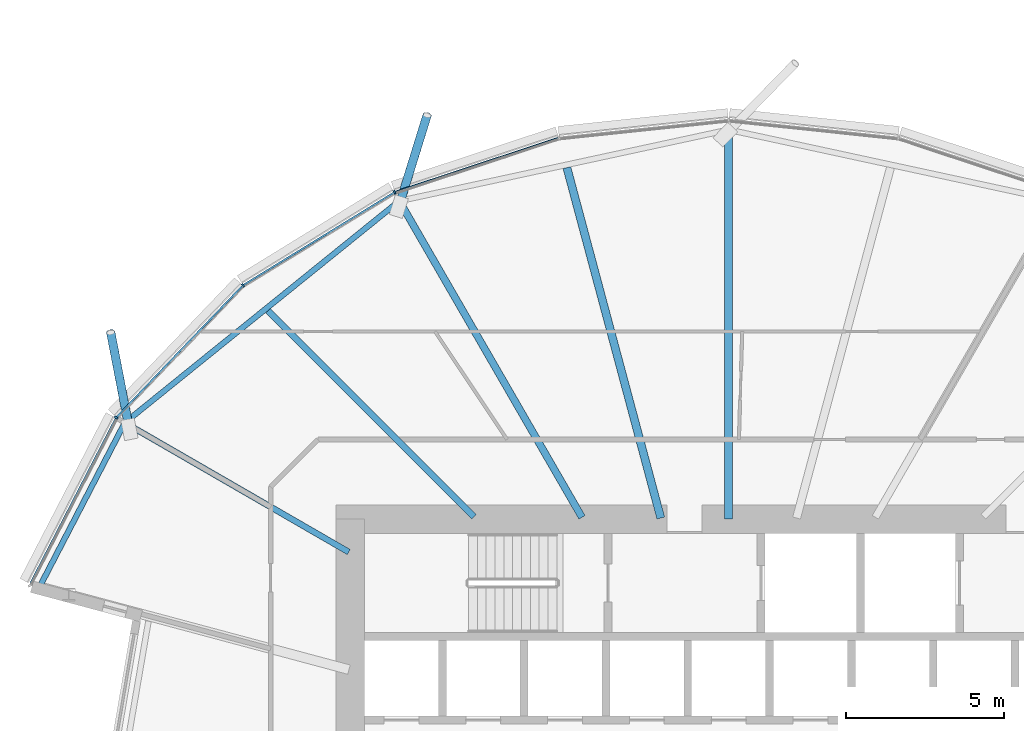
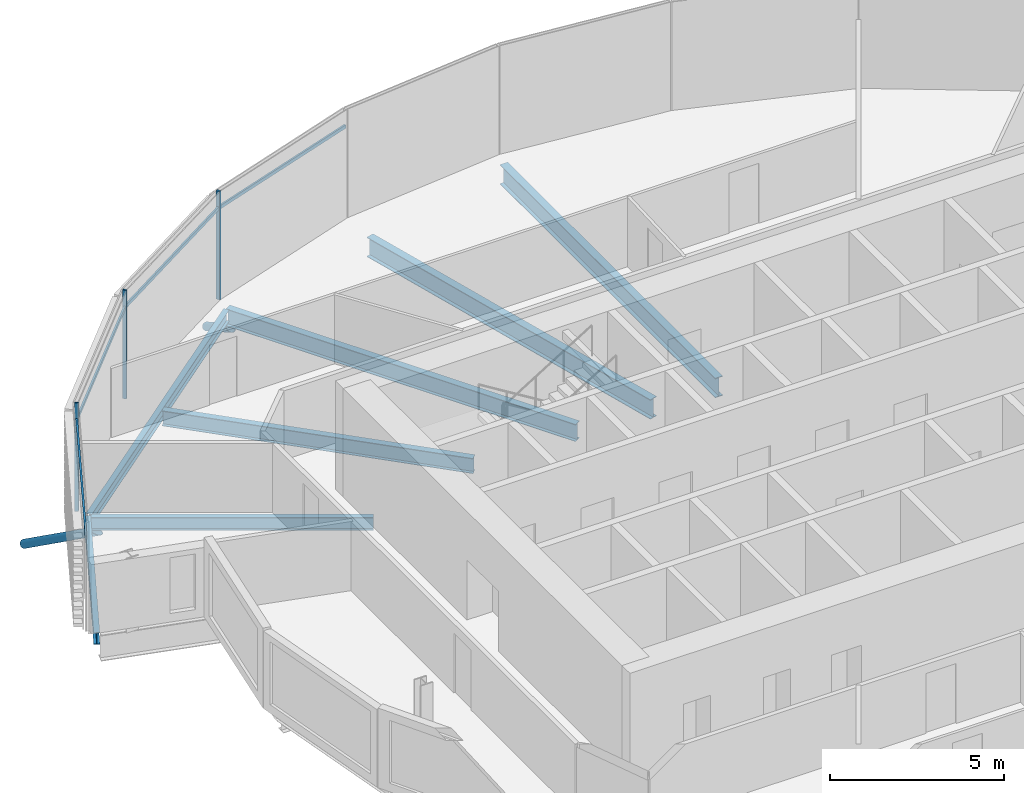
# One storey, part 9 of 37: 9 members, 7 beams, 1 element without a shape of its own.
"""IFC4 building model written with IfcOpenShell, lengths in metres."""

from ifc_helpers import new_model, si_unit, direction, frame, origin, origin_2d, place, context, subcontext, project, spatial, rectangle, hollow_circle, i_section, extrude, clip, halfspace, material, material_profile, profile_set, type_object, element, aggregate, save


model = new_model("IFC4")

# Units and contexts
model_context = context("Model", 3, precision=1e-05, world=origin(), true_north=direction((0.0, 1.0)))
body_context = subcontext(model_context, "Body", "Model", "MODEL_VIEW")
ifc_project = project(units=[si_unit("LENGTHUNIT", "METRE"), si_unit("AREAUNIT", "SQUARE_METRE"), si_unit("VOLUMEUNIT", "CUBIC_METRE"), si_unit("PLANEANGLEUNIT", "RADIAN"), si_unit("MASSUNIT", "GRAM", prefix="KILO")], contexts=[model_context])

# Site, building, storey
site_placement = place(None, origin())
site = spatial("IfcSite", under=ifc_project, at=site_placement, CompositionType="ELEMENT")
building_placement = place(site_placement, origin())
building = spatial("IfcBuilding", under=site, at=building_placement, Name="Rimbun Link Towers", CompositionType="ELEMENT")
storey_placement = place(building_placement, frame((0.0, 0.0, 60.39990234375)))
storey = spatial("IfcBuildingStorey", under=building, at=storey_placement, Name="L14", CompositionType="ELEMENT", Elevation=60.39990234375)

# Curtain wall, members
ifc_material_1 = material(Name="Aluminium 6063-T6 and low-iron glass", Category="aluminium")
curtain_wall_type = type_object("IfcCurtainWallType", Name="CW1 unitised vision wall", PredefinedType="NOTDEFINED", material=ifc_material_1)
curtain_wall_placement = place(storey_placement, origin())
curtain_wall = element("IfcCurtainWall", 1, at=curtain_wall_placement, inside=storey, type_object=curtain_wall_type, Name="CW1 L14 T1", PredefinedType="NOTDEFINED")
ifc_material_2 = material(Name="Aluminium 6063-T6", Category="aluminium")
ifc_material_profile_1 = material_profile(ifc_material_2, rectangle(XDim=0.1201171875, YDim=0.06005859375, at=origin_2d()), Name="MULLION 60X120")
ifc_profile_set_1 = profile_set([ifc_material_profile_1], Name="Aluminium 6063-T6")
member_type_1 = type_object("IfcMemberType", Name="CW1 mullion 60X120", PredefinedType="MULLION", material=ifc_profile_set_1)
member_1_placement = place(storey_placement, frame((-42.34619140625, 18.364013671875, 0.0), z_axis=(0.0, 0.0, 1.0), x_axis=(-0.421704717158, 0.9067332196, 0.0)))
member_1 = element("IfcMember", 2, at=member_1_placement, type_object=member_type_1, Name="CW1 mullion", PredefinedType="MULLION", context=body_context, shape_type="SweptSolid", body=[
    extrude(rectangle(XDim=0.1201171875, YDim=0.06005859375, at=origin_2d()), origin(), (0.0, 0.0, 1.0), 3.800048828125),
])
member_2_placement = place(storey_placement, frame((-47.1533203125, 15.412353515625, 0.0), z_axis=(0.0, 0.0, 1.0), x_axis=(-0.627665729285, 0.778482968524, 0.0)))
member_2 = element("IfcMember", 3, at=member_2_placement, type_object=member_type_1, Name="CW1 mullion", PredefinedType="MULLION", context=body_context, shape_type="SweptSolid", body=[
    extrude(rectangle(XDim=0.1201171875, YDim=0.06005859375, at=origin_2d()), origin(), (0.0, 0.0, 1.0), 3.800048828125),
])
member_3_placement = place(storey_placement, frame((-51.17236328125, 11.22021484375, 0.0), z_axis=(0.0, 0.0, 1.0), x_axis=(-0.813347990418, 0.581777488807, 0.0)))
member_3 = element("IfcMember", 4, at=member_3_placement, type_object=member_type_1, Name="CW1 mullion", PredefinedType="MULLION", context=body_context, shape_type="SweptSolid", body=[
    extrude(rectangle(XDim=0.1201171875, YDim=0.06005859375, at=origin_2d()), origin(), (0.0, 0.0, 1.0), 3.800048828125),
])
ifc_material_3 = material(Name="Aluminium 6063-T6", Category="aluminium")
ifc_material_profile_2 = material_profile(ifc_material_3, rectangle(XDim=0.06005859375, YDim=0.1201171875, at=origin_2d()), Name="TRANSOM 60X120")
ifc_profile_set_2 = profile_set([ifc_material_profile_2], Name="Aluminium 6063-T6")
member_type_2 = type_object("IfcMemberType", Name="CW1 transom 60X120", PredefinedType="USERDEFINED", material=ifc_profile_set_2)
member_4_placement = place(storey_placement, frame((-42.310791015625, 18.3740234375, 3.2001953125), z_axis=(0.949235766139, 0.314565510318, 0.0), x_axis=(-0.314565510318, 0.949235766139, 0.0)))
member_4 = element("IfcMember", 5, at=member_4_placement, type_object=member_type_2, Name="CW1 transom", ObjectType="TRANSOM", PredefinedType="USERDEFINED", context=body_context, shape_type="SweptSolid", body=[
    extrude(rectangle(XDim=0.06005859375, YDim=0.1201171875, at=origin_2d()), origin(), (0.0, 0.0, 1.0), 5.421142578125),
])
member_5_placement = place(storey_placement, frame((-47.120361328125, 15.4306640625, 3.2001953125), z_axis=(0.852172941328, 0.523260239335, 0.0), x_axis=(-0.523260239335, 0.852172941328, 0.0)))
member_5 = element("IfcMember", 6, at=member_5_placement, type_object=member_type_2, Name="CW1 transom", ObjectType="TRANSOM", PredefinedType="USERDEFINED", context=body_context, shape_type="SweptSolid", body=[
    extrude(rectangle(XDim=0.06005859375, YDim=0.1201171875, at=origin_2d()), origin(), (0.0, 0.0, 1.0), 5.566162109375),
])
member_6_placement = place(storey_placement, frame((-51.14453125, 11.2470703125, 3.2001953125), z_axis=(0.692061710026, 0.721838340292, 0.0), x_axis=(-0.721838340292, 0.692061710026, 0.0)))
member_6 = element("IfcMember", 7, at=member_6_placement, type_object=member_type_2, Name="CW1 transom", ObjectType="TRANSOM", PredefinedType="USERDEFINED", context=body_context, shape_type="SweptSolid", body=[
    extrude(rectangle(XDim=0.06005859375, YDim=0.1201171875, at=origin_2d()), origin(), (0.0, 0.0, 1.0), 5.731201171875),
])
member_7_placement = place(storey_placement, frame((-53.885009765625, 5.974365234375, 3.2001953125), z_axis=(0.459554227284, 0.888149712709, 0.0), x_axis=(-0.888149712709, 0.459554227284, 0.0)))
member_7 = element("IfcMember", 8, at=member_7_placement, type_object=member_type_2, Name="CW1 transom", ObjectType="TRANSOM", PredefinedType="USERDEFINED", context=body_context, shape_type="SweptSolid", body=[
    extrude(rectangle(XDim=0.06005859375, YDim=0.1201171875, at=origin_2d()), origin(), (0.0, 0.0, 1.0), 5.8671875),
])
aggregate(curtain_wall, [member_1, member_2, member_3, member_4, member_5, member_6, member_7])

# Members
ifc_material_4 = material(Name="Steel S355J2H", Category="steel")
ifc_material_profile_3 = material_profile(ifc_material_4, hollow_circle(Radius=0.136474609375, WallThickness=0.012451171875, at=origin_2d()), Name="CHS 273x12.5")
ifc_profile_set_3 = profile_set([ifc_material_profile_3], Name="Steel S355J2H")
member_type_3 = type_object("IfcMemberType", Name="Floor edge link CHS 273x12.5", PredefinedType="BRACE", material=ifc_profile_set_3)
member_8_placement = place(storey_placement, frame((-42.16845703125, 18.045166015625, -0.876220703125), z_axis=(0.246180262262, 0.795168546856, -0.554168079706), x_axis=(-0.955266660557, 0.295745849047, 0.0)))
element("IfcMember", 9, at=member_8_placement, inside=storey, type_object=member_type_3, Name="Floor edge link T1 L14 08", PredefinedType="BRACE", context=body_context, shape_type="Clipping", body=[
    clip(extrude(hollow_circle(Radius=0.136474609375, WallThickness=0.012451171875, at=origin_2d()), frame((0.0, 0.0, -0.427978515625)), (0.0, 0.0, 1.0), 3.916015625), halfspace(frame((0.0, 0.0, -0.20166015625), z_axis=(0.0, 0.832404793016, -0.554168079706)), False)),
])
member_9_placement = place(storey_placement, frame((-50.779296875, 10.986572265625, -0.72705078125), z_axis=(-0.157509841863, 0.816224251369, -0.55584945911), x_axis=(-0.98188496492, -0.189478008393, 0.0)))
element("IfcMember", 10, at=member_9_placement, inside=storey, type_object=member_type_3, Name="Floor edge link T1 L14 10", PredefinedType="BRACE", context=body_context, shape_type="Clipping", body=[
    clip(extrude(hollow_circle(Radius=0.136474609375, WallThickness=0.012451171875, at=origin_2d()), frame((0.0, 0.0, -0.42626953125)), (0.0, 0.0, 1.0), 4.036376953125), halfspace(frame((0.0, 0.0, -0.200927734375), z_axis=(0.0, 0.831282971561, -0.55584945911)), False)),
])

# Beams
ifc_material_5 = material(Name="Steel S355J2", Category="steel")
ifc_material_profile_4 = material_profile(ifc_material_5, i_section(OverallWidth=0.177978515625, OverallDepth=0.406494140625, WebThickness=0.0078125, FlangeThickness=0.0126953125, at=origin_2d()), Name="UB 406x178x60")
ifc_profile_set_4 = profile_set([ifc_material_profile_4], Name="Steel S355J2")
beam_type_1 = type_object("IfcBeamType", Name="UB 406x178x60", PredefinedType="BEAM", material=ifc_profile_set_4)
beam_1_placement = place(storey_placement, frame((-42.28369140625, 18.015380859375, -0.363037109375), z_axis=(-0.77798007957, -0.628288942917, 0.0), x_axis=(0.628288942917, -0.77798007957, 0.0)))
element("IfcBeam", 11, at=beam_1_placement, inside=storey, type_object=beam_type_1, Name="Edge beam T1 L14 08-10", PredefinedType="BEAM", context=body_context, shape_type="SweptSolid", body=[
    extrude(i_section(OverallWidth=0.177978515625, OverallDepth=0.406494140625, WebThickness=0.0078125, FlangeThickness=0.0126953125, at=origin_2d()), origin(), (0.0, 0.0, 1.0), 10.97314453125),
])
beam_2_placement = place(storey_placement, frame((-50.90087890625, 11.0556640625, -0.363037109375), z_axis=(-0.460647989736, -0.887582914184, 0.0), x_axis=(0.887582914184, -0.460647989736, 0.0)))
element("IfcBeam", 12, at=beam_2_placement, inside=storey, type_object=beam_type_1, Name="Edge beam T1 L14 10", PredefinedType="BEAM", context=body_context, shape_type="SweptSolid", body=[
    extrude(i_section(OverallWidth=0.177978515625, OverallDepth=0.406494140625, WebThickness=0.0078125, FlangeThickness=0.0126953125, at=origin_2d()), origin(), (0.0, 0.0, 1.0), 5.858642578125),
])
ifc_material_6 = material(Name="Steel S355J2", Category="steel")
ifc_material_profile_5 = material_profile(ifc_material_6, i_section(OverallWidth=0.18994140625, OverallDepth=0.453369140625, WebThickness=0.008544921875, FlangeThickness=0.0126953125, at=origin_2d()), Name="UB 457x191x67")
ifc_profile_set_5 = profile_set([ifc_material_profile_5], Name="Steel S355J2")
beam_type_2 = type_object("IfcBeamType", Name="UB 457x191x67", PredefinedType="BEAM", material=ifc_profile_set_5)
beam_3_placement = place(storey_placement, frame((-43.79833984375, 6.9560546875, -0.38671875), z_axis=(-0.866011647569, 0.500023825707, 0.0), x_axis=(-0.500023825707, -0.866011647569, 0.0)))
element("IfcBeam", 13, at=beam_3_placement, inside=storey, type_object=beam_type_2, Name="Radial beam T1 L14 10", PredefinedType="BEAM", context=body_context, shape_type="SweptSolid", body=[
    extrude(i_section(OverallWidth=0.18994140625, OverallDepth=0.453369140625, WebThickness=0.008544921875, FlangeThickness=0.0126953125, at=origin_2d()), origin(), (0.0, 0.0, 1.0), 8.11083984375),
])
ifc_material_7 = material(Name="Steel S355J2", Category="steel")
ifc_material_profile_6 = material_profile(ifc_material_7, i_section(OverallWidth=0.209228515625, OverallDepth=0.533203125, WebThickness=0.010009765625, FlangeThickness=0.015625, at=origin_2d()), Name="UB 533x210x92")
ifc_profile_set_6 = profile_set([ifc_material_profile_6], Name="Steel S355J2")
beam_type_3 = type_object("IfcBeamType", Name="UB 533x210x92", PredefinedType="BEAM", material=ifc_profile_set_6)
beam_4_placement = place(storey_placement, frame((-39.82470703125, 8.07470703125, -0.426513671875), z_axis=(-0.707106781187, 0.707106781187, 0.0), x_axis=(-0.707106781187, -0.707106781187, 0.0)))
element("IfcBeam", 14, at=beam_4_placement, inside=storey, type_object=beam_type_3, Name="Radial beam T1 L14 09", PredefinedType="BEAM", context=body_context, shape_type="SweptSolid", body=[
    extrude(i_section(OverallWidth=0.209228515625, OverallDepth=0.533203125, WebThickness=0.010009765625, FlangeThickness=0.015625, at=origin_2d()), origin(), (0.0, 0.0, 1.0), 9.24072265625),
])
ifc_material_8 = material(Name="Steel S355J2", Category="steel")
ifc_material_profile_7 = material_profile(ifc_material_8, i_section(OverallWidth=0.2275390625, OverallDepth=0.6025390625, WebThickness=0.010498046875, FlangeThickness=0.014892578125, at=origin_2d()), Name="UB 610x229x101")
ifc_profile_set_7 = profile_set([ifc_material_profile_7], Name="Steel S355J2")
beam_type_4 = type_object("IfcBeamType", Name="UB 610x229x101", PredefinedType="BEAM", material=ifc_profile_set_7)
beam_5_placement = place(storey_placement, frame((-36.402099609375, 8.057861328125, -0.461181640625), z_axis=(-0.500008919292, 0.866020254168, 0.0), x_axis=(-0.866020254168, -0.500008919292, 0.0)))
element("IfcBeam", 15, at=beam_5_placement, inside=storey, type_object=beam_type_4, Name="Radial beam T1 L14 08", PredefinedType="BEAM", context=body_context, shape_type="SweptSolid", body=[
    extrude(i_section(OverallWidth=0.2275390625, OverallDepth=0.6025390625, WebThickness=0.010498046875, FlangeThickness=0.014892578125, at=origin_2d()), origin(), (0.0, 0.0, 1.0), 11.582275390625),
])
ifc_material_9 = material(Name="Steel S355J2", Category="steel")
ifc_material_profile_8 = material_profile(ifc_material_9, i_section(OverallWidth=0.253662109375, OverallDepth=0.68359375, WebThickness=0.012451171875, FlangeThickness=0.01904296875, at=origin_2d()), Name="UB 686x254x140")
ifc_profile_set_8 = profile_set([ifc_material_profile_8], Name="Steel S355J2")
beam_type_5 = type_object("IfcBeamType", Name="UB 686x254x140", PredefinedType="BEAM", material=ifc_profile_set_8)
beam_6_placement = place(storey_placement, frame((-31.75, 8.0009765625, -0.501708984375), z_axis=(0.0, 1.0, 0.0), x_axis=(-1.0, 0.0, 0.0)))
element("IfcBeam", 16, at=beam_6_placement, inside=storey, type_object=beam_type_5, Name="Radial beam T1 L14 06", PredefinedType="BEAM", context=body_context, shape_type="SweptSolid", body=[
    extrude(i_section(OverallWidth=0.253662109375, OverallDepth=0.68359375, WebThickness=0.012451171875, FlangeThickness=0.01904296875, at=origin_2d()), origin(), (0.0, 0.0, 1.0), 12.3466796875),
])
beam_7_placement = place(storey_placement, frame((-33.902587890625, 8.03369140625, -0.501708984375), z_axis=(-0.258819531339, 0.965925696002, 0.0), x_axis=(-0.965925696002, -0.258819531339, 0.0)))
element("IfcBeam", 17, at=beam_7_placement, inside=storey, type_object=beam_type_5, Name="Radial beam T1 L14 07", PredefinedType="BEAM", context=body_context, shape_type="SweptSolid", body=[
    extrude(i_section(OverallWidth=0.253662109375, OverallDepth=0.68359375, WebThickness=0.012451171875, FlangeThickness=0.01904296875, at=origin_2d()), origin(), (0.0, 0.0, 1.0), 11.50439453125),
])

save(model, "model.ifc")
